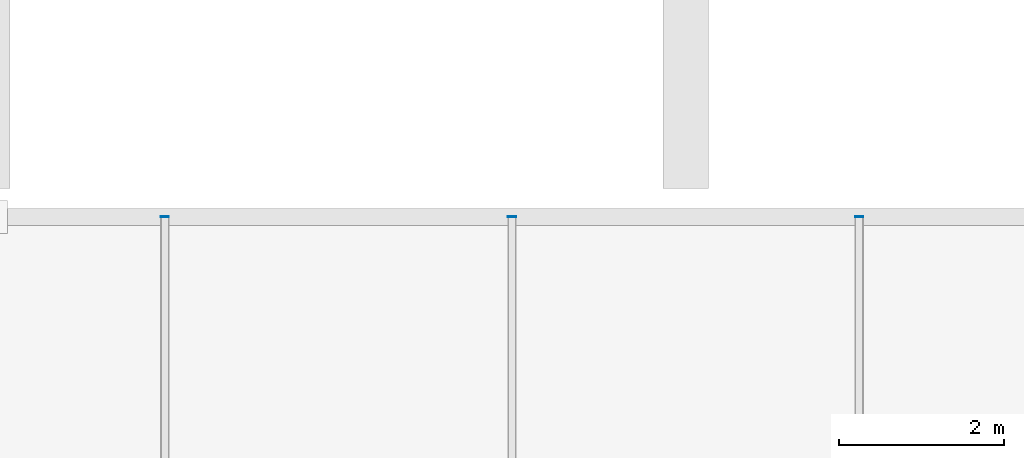
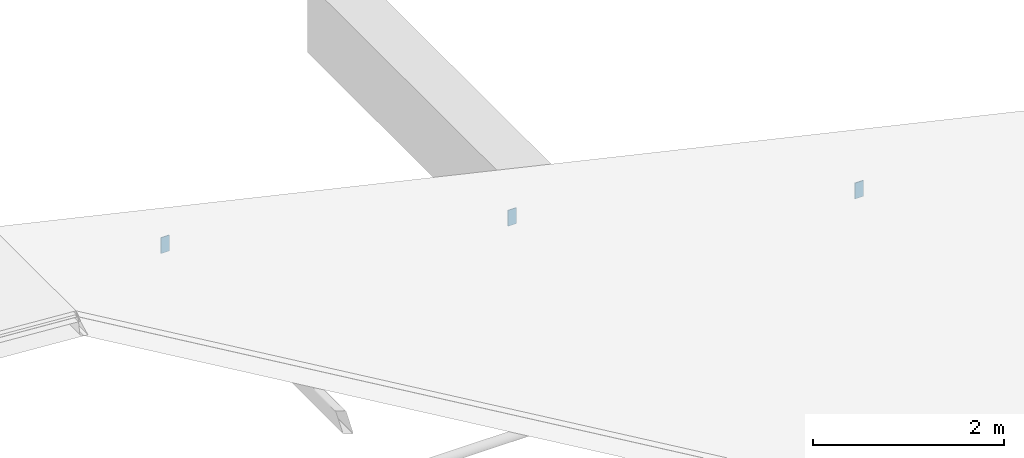
# One storey, part 24 of 42: 3 plates.
"""IFC4 building model written with IfcOpenShell, lengths in metres."""

from ifc_helpers import new_model, si_unit, derived_unit, direction, frame, origin, origin_2d, place, context, subcontext, project, spatial, rectangle, extrude, material, layer, layer_set, type_object, element, save


model = new_model("IFC4")

# Units and contexts
model_context = context("Model", 3, precision=1e-05, world=origin(), true_north=direction((0.0, 1.0)))
body_context = subcontext(model_context, "Body", "Model", "MODEL_VIEW")
ifc_project = project(units=[si_unit("LENGTHUNIT", "METRE"), si_unit("AREAUNIT", "SQUARE_METRE"), si_unit("VOLUMEUNIT", "CUBIC_METRE"), si_unit("PLANEANGLEUNIT", "RADIAN"), si_unit("MASSUNIT", "GRAM", prefix="KILO"), derived_unit("THERMALTRANSMITTANCEUNIT", [(si_unit("POWERUNIT", "WATT"), 1), (si_unit("LENGTHUNIT", "METRE"), -2), (si_unit("THERMODYNAMICTEMPERATUREUNIT", "KELVIN"), -1)])], contexts=[model_context])

# Site, building, storey
site_placement = place(None, origin())
site = spatial("IfcSite", under=ifc_project, at=site_placement, CompositionType="ELEMENT")
building_placement = place(site_placement, origin())
building = spatial("IfcBuilding", under=site, at=building_placement, Name="Barrovel Congress Hotel", CompositionType="ELEMENT")
storey_placement = place(building_placement, frame((0.0, 0.0, 18.300048828125)))
storey = spatial("IfcBuildingStorey", under=building, at=storey_placement, Name="L04", CompositionType="ELEMENT", Elevation=18.300048828125)

# Plates
ifc_material = material(Name="Steel ASTM A992 Grade 50", Category="steel")
ifc_layer = layer(ifc_material, 0.010009765625)
ifc_layer_set = layer_set([ifc_layer], Name="Steel ASTM A992 Grade 50")
plate_type = type_object("IfcPlateType", Name="EC-10", PredefinedType="SHEET", material=ifc_layer_set)
for number, where, z_axis, x_axis, name in (
    (1, (18.89990234375, 105.0048828125, 2.8720703125), (0.0, 0.0, 1.0), (0.0, 1.0, 0.0), "End Cap Plate SF-PUR:4:7 end"),
    (2, (23.10009765625, 105.0048828125, 1.751220703125), (0.0, 0.0, 1.0), (0.0, 1.0, 0.0), "End Cap Plate SF-PUR:5:7 end"),
    (3, (27.300048828125, 105.0048828125, 0.6298828125), (0.0, 0.0, 1.0), (0.0, 1.0, 0.0), "End Cap Plate SF-PUR:6:7 end"),
):
    element("IfcPlate", number, at=place(storey_placement, frame(where, z_axis=z_axis, x_axis=x_axis)), inside=storey, type_object=plate_type, Name=name, PredefinedType="SHEET", context=body_context, shape_type="SweptSolid", body=[
        extrude(rectangle(XDim=0.010009765625, YDim=0.1015625, at=origin_2d()), origin(), (0.0, 0.0, 1.0), 0.203125),
    ])

save(model, "model.ifc")
